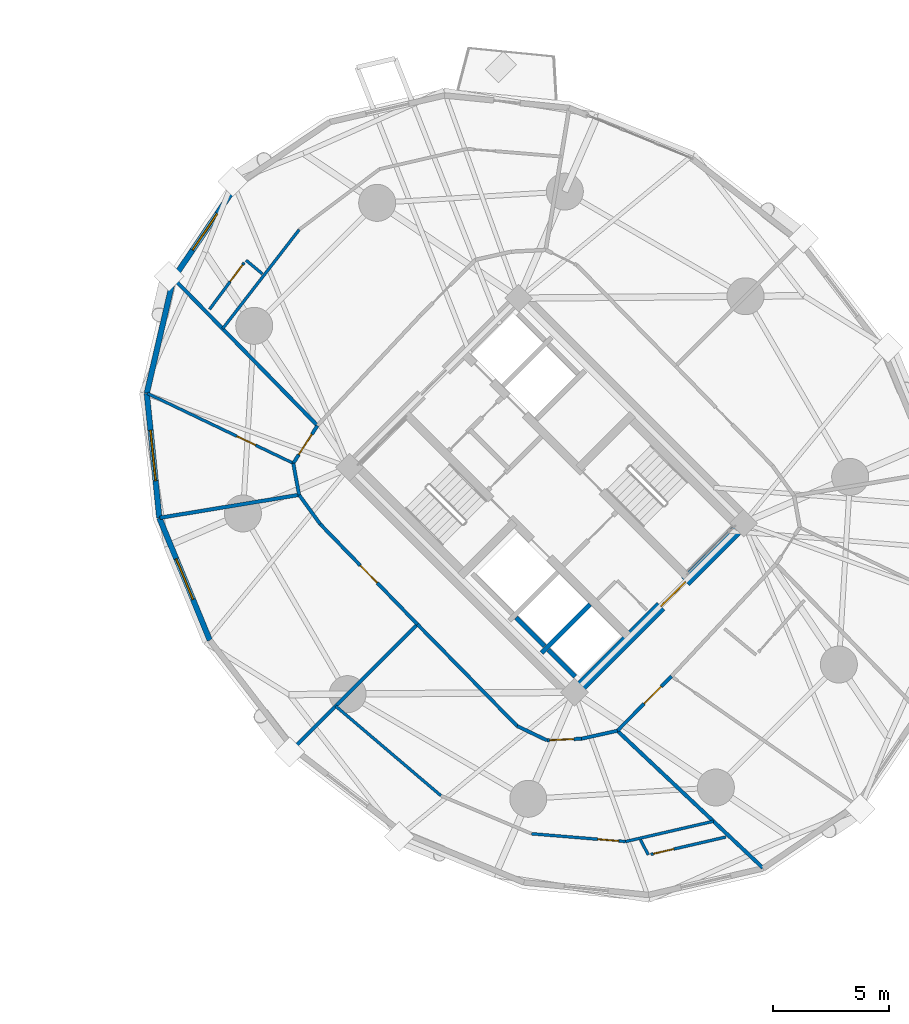
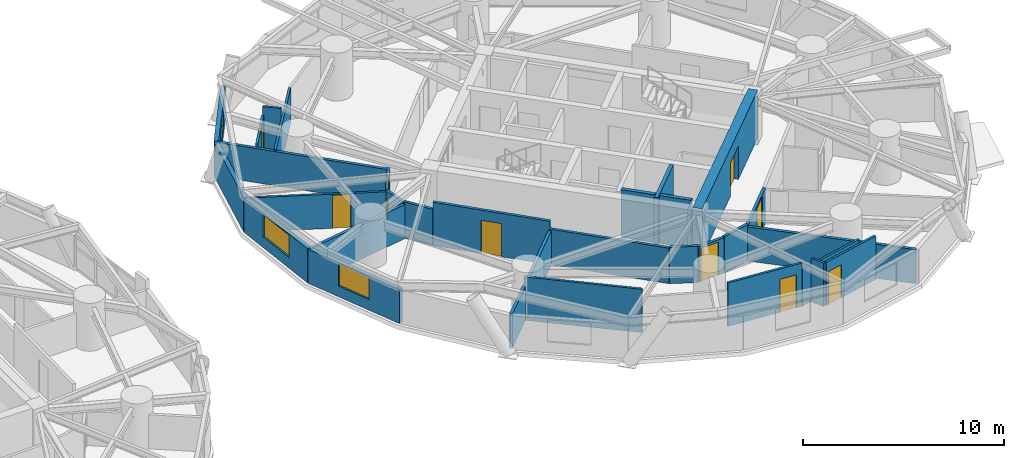
# One storey, part 13 of 20: 30 walls, 9 doors, 3 windows, 12 openings.
"""IFC4 building model written with IfcOpenShell, lengths in metres."""

from ifc_helpers import new_model, si_unit, direction, frame, frame_2d, origin, place, context, subcontext, project, spatial, rectangle, extrude, source, transform, mapped, material, layer, layer_set, type_object, element, fill, save


model = new_model("IFC4")

# Units and contexts
model_context = context("Model", 3, precision=1e-05, world=origin(), true_north=direction((0.0, 1.0)))
body_context = subcontext(model_context, "Body", "Model", "MODEL_VIEW")
ifc_project = project(units=[si_unit("LENGTHUNIT", "METRE"), si_unit("AREAUNIT", "SQUARE_METRE"), si_unit("VOLUMEUNIT", "CUBIC_METRE"), si_unit("PLANEANGLEUNIT", "RADIAN"), si_unit("MASSUNIT", "GRAM", prefix="KILO")], contexts=[model_context])

# Site, building, storey
site_placement = place(None, origin())
site = spatial("IfcSite", under=ifc_project, at=site_placement, CompositionType="ELEMENT")
building_placement = place(site_placement, origin())
building = spatial("IfcBuilding", under=site, at=building_placement, Name="Cununo Teusaquillo Station Towers", CompositionType="ELEMENT")
storey_placement = place(building_placement, frame((0.0, 0.0, 39.4599609375)))
storey = spatial("IfcBuildingStorey", under=building, at=storey_placement, Name="L11", CompositionType="ELEMENT", Elevation=39.4599609375)

# Walls
ifc_material_1 = material(Name="Concrete C50/60", Category="concrete")
ifc_layer_1 = layer(ifc_material_1, 0.199951171875)
ifc_layer_set_1 = layer_set([ifc_layer_1], Name="Concrete C50/60")
wall_type_1 = type_object("IfcWallType", Name="WL-CORE-200", PredefinedType="SHEAR", material=ifc_layer_set_1)
wall_1_placement = place(storey_placement, frame((57.2841796875, 17.6728515625, 0.0), z_axis=(0.0, 0.0, 1.0), x_axis=(0.707147878904, 0.70706568108, 0.0)))
element("IfcWall", 1, at=wall_1_placement, inside=storey, type_object=wall_type_1, Name="L11 Tower B High-Rise Lift Hoistway Divider Shear Wall", PredefinedType="SHEAR", context=body_context, shape_type="SweptSolid", body=[
    extrude(rectangle(XDim=2.97021484375, YDim=0.199951171875, at=frame_2d((1.485107421875, 0.0))), origin(), (0.0, 0.0, 1.0), 2.91015625),
])
wall_2_placement = place(storey_placement, frame((57.41162109375, 17.969970703125, 0.0), z_axis=(0.0, 0.0, 1.0), x_axis=(-0.707106781187, 0.707106781187, 0.0)))
element("IfcWall", 2, at=wall_2_placement, inside=storey, type_object=wall_type_1, Name="L11 Tower B High-Rise Lift 2 Shaft Rear Shear Wall", PredefinedType="SHEAR", context=body_context, shape_type="SweptSolid", body=[
    extrude(rectangle(XDim=1.73486328125, YDim=0.199951171875, at=frame_2d((0.867431640625, 0.0))), origin(), (0.0, 0.0, 1.0), 2.91015625),
])
wall_3_placement = place(storey_placement, frame((58.7373046875, 16.64404296875, 0.0), z_axis=(0.0, 0.0, 1.0), x_axis=(-0.707032117043, 0.707181437447, 0.0)))
element("IfcWall", 3, at=wall_3_placement, inside=storey, type_object=wall_type_1, Name="L11 Tower B High-Rise Lift 1 Shaft Rear Shear Wall", PredefinedType="SHEAR", context=body_context, shape_type="SweptSolid", body=[
    extrude(rectangle(XDim=1.635009765625, YDim=0.199951171875, at=frame_2d((0.8173828125, 0.0))), origin(), (0.0, 0.0, 1.0), 2.91015625),
])

# Wall, opening, door
ifc_material_2 = material(Name="Concrete C60/75", Category="concrete")
ifc_layer_2 = layer(ifc_material_2, 0.5)
ifc_layer_set_2 = layer_set([ifc_layer_2], Name="Concrete C60/75")
wall_type_2 = type_object("IfcWallType", Name="WL-CORE-500", PredefinedType="SHEAR", material=ifc_layer_set_2)
wall_4_placement = place(storey_placement, frame((58.595947265625, 15.837890625, 0.0), z_axis=(0.0, 0.0, 1.0), x_axis=(0.707106781187, 0.707106781187, 0.0)))
wall_4 = element("IfcWall", 4, at=wall_4_placement, inside=storey, type_object=wall_type_2, Name="L11 Tower B Core Shear Wall S", PredefinedType="SHEAR", context=body_context, shape_type="SweptSolid", body=[
    extrude(rectangle(XDim=10.7001953125, YDim=0.5, at=frame_2d((5.35009765625, 0.0))), origin(), (0.0, 0.0, 1.0), 2.91015625),
])
shared_shape_1 = source(origin(), body_context, "Body", "SweptSolid", [
    extrude(rectangle(XDim=1.5, YDim=2.02001953125, at=frame_2d((0.75, 1.010009765625))), frame((0.0, 0.260009765625, 0.0), z_axis=(0.0, -1.0, 0.0), x_axis=(1.0, 0.0, 0.0)), (0.0, 0.0, 1.0), 0.52001953125),
])
opening_1_placement = place(wall_4_placement, frame((5.449951171875, 0.0, 0.0)))
opening_1 = element("IfcOpeningElement", 5, at=opening_1_placement, cuts=wall_4, Name="Opening D-LB1", PredefinedType="OPENING", context=body_context, shape_type="MappedRepresentation", body=[
    mapped(shared_shape_1, transform((0.0, 0.0, 0.0), x_axis=(1.0, 0.0, 0.0), y_axis=(0.0, 1.0, 0.0), z_axis=(0.0, 0.0, 1.0), scale=1.0)),
])
ifc_material_3 = material(Name="Galvanised fire-rated hollow steel door assembly", Category="steel")
door_type_1 = type_object("IfcDoorType", Name="DR-LOBBY-1500", OperationType="DOUBLE_DOOR_SINGLE_SWING", PredefinedType="DOOR", material=ifc_material_3)
shared_shape_2 = source(origin(), body_context, "Body", "SweptSolid", [
    extrude(rectangle(XDim=1.5, YDim=2.02001953125, at=frame_2d((0.75, 1.010009765625))), frame((0.0, 0.02490234375, 0.0), z_axis=(0.0, -1.0, 0.0), x_axis=(1.0, 0.0, 0.0)), (0.0, 0.0, 1.0), 0.050048828125),
])
door_1_placement = place(opening_1_placement, origin())
door_1 = element("IfcDoor", 6, at=door_1_placement, inside=storey, type_object=door_type_1, Name="L11 Tower B South Core Lift Lobby Door", OperationType="DOUBLE_DOOR_SINGLE_SWING", OverallHeight=2.02001953125, OverallWidth=1.5, PredefinedType="DOOR", context=body_context, shape_type="MappedRepresentation", body=[
    mapped(shared_shape_2, transform((0.0, 0.0, 0.0), x_axis=(1.0, 0.0, 0.0), y_axis=(0.0, 1.0, 0.0), z_axis=(0.0, 0.0, 1.0), scale=1.0)),
])
fill(opening_1, door_1)

# Wall, opening, window
ifc_material_4 = material(Name="Precast concrete C40/50", Category="concrete")
ifc_layer_3 = layer(ifc_material_4, 0.239990234375)
ifc_layer_set_3 = layer_set([ifc_layer_3], Name="Precast concrete C40/50")
wall_type_3 = type_object("IfcWallType", Name="WL-EXT-240", PredefinedType="SOLIDWALL", material=ifc_layer_set_3)
wall_5_placement = place(storey_placement, frame((41.35595703125, 33.87060546875, 0.0), z_axis=(0.0, 0.0, 1.0), x_axis=(0.559621532896, 0.828748297084, 0.0)))
wall_5 = element("IfcWall", 7, at=wall_5_placement, inside=storey, type_object=wall_type_3, Name="L11 Tower B Exterior Facade Wall C05", PredefinedType="SOLIDWALL", context=body_context, shape_type="SweptSolid", body=[
    extrude(rectangle(XDim=4.878662109375, YDim=0.239990234375, at=frame_2d((2.439453125, 0.0))), origin(), (0.0, 0.0, 1.0), 2.072998046875),
])
shared_shape_3 = source(origin(), body_context, "Body", "SweptSolid", [
    extrude(rectangle(XDim=1.89990234375, YDim=1.35009765625, at=frame_2d((0.949951171875, 0.675048828125))), frame((0.0, 0.1298828125, 0.0), z_axis=(0.0, -1.0, 0.0), x_axis=(1.0, 0.0, 0.0)), (0.0, 0.0, 1.0), 0.260009765625),
])
opening_2_placement = place(wall_5_placement, frame((1.489013671875, 0.0, 0.64990234375)))
opening_2 = element("IfcOpeningElement", 8, at=opening_2_placement, cuts=wall_5, Name="Opening WN-02", PredefinedType="OPENING", context=body_context, shape_type="MappedRepresentation", body=[
    mapped(shared_shape_3, transform((0.0, 0.0, 0.0), x_axis=(1.0, 0.0, 0.0), y_axis=(0.0, 1.0, 0.0), z_axis=(0.0, 0.0, 1.0), scale=1.0)),
])
ifc_material_5 = material(Name="Operable acoustic tinted low-E double glazing", Category="glass")
window_type_1 = type_object("IfcWindowType", Name="WIN-OPER-1900", PartitioningType="DOUBLE_PANEL_VERTICAL", PredefinedType="WINDOW", material=ifc_material_5)
shared_shape_4 = source(origin(), body_context, "Body", "SweptSolid", [
    extrude(rectangle(XDim=1.89990234375, YDim=1.35009765625, at=frame_2d((0.949951171875, 0.675048828125))), frame((0.0, 0.030029296875, 0.0), z_axis=(0.0, -1.0, 0.0), x_axis=(1.0, 0.0, 0.0)), (0.0, 0.0, 1.0), 0.06005859375),
])
window_1_placement = place(opening_2_placement, origin())
window_1 = element("IfcWindow", 9, at=window_1_placement, inside=storey, type_object=window_type_1, Name="L11 Tower B Facade Window C05", OverallHeight=1.35009765625, OverallWidth=1.89990234375, PartitioningType="DOUBLE_PANEL_VERTICAL", PredefinedType="WINDOW", context=body_context, shape_type="MappedRepresentation", body=[
    mapped(shared_shape_4, transform((0.0, 0.0, 0.0), x_axis=(1.0, 0.0, 0.0), y_axis=(0.0, 1.0, 0.0), z_axis=(0.0, 0.0, 1.0), scale=1.0)),
])
fill(opening_2, window_1)

# Wall
wall_6_placement = place(storey_placement, frame((40.2060546875, 28.91015625, 0.0), z_axis=(0.0, 0.0, 1.0), x_axis=(0.22582585901, 0.974167686491, 0.0)))
element("IfcWall", 10, at=wall_6_placement, inside=storey, type_object=wall_type_3, Name="L11 Tower B Exterior Facade Wall C06", PredefinedType="SOLIDWALL", context=body_context, shape_type="SweptSolid", body=[
    extrude(rectangle(XDim=5.092041015625, YDim=0.239990234375, at=frame_2d((2.5458984375, 0.0))), origin(), (0.0, 0.0, 1.0), 2.072998046875),
])

# Wall, opening, window
wall_7_placement = place(storey_placement, frame((40.7490234375, 23.51806640625, 0.0), z_axis=(0.0, 0.0, 1.0), x_axis=(-0.100190592135, 0.994968263437, 0.0)))
wall_7 = element("IfcWall", 11, at=wall_7_placement, inside=storey, type_object=wall_type_3, Name="L11 Tower B Exterior Facade Wall C07", PredefinedType="SOLIDWALL", context=body_context, shape_type="SweptSolid", body=[
    extrude(rectangle(XDim=5.41943359375, YDim=0.239990234375, at=frame_2d((2.709716796875, 0.0))), origin(), (0.0, 0.0, 1.0), 2.072998046875),
])
shared_shape_5 = source(origin(), body_context, "Body", "SweptSolid", [
    extrude(rectangle(XDim=2.199951171875, YDim=1.35009765625, at=frame_2d((1.10009765625, 0.675048828125))), frame((0.0, 0.1298828125, 0.0), z_axis=(0.0, -1.0, 0.0), x_axis=(1.0, 0.0, 0.0)), (0.0, 0.0, 1.0), 0.260009765625),
])
opening_3_placement = place(wall_7_placement, frame((1.610107421875, 0.0, 0.64990234375)))
opening_3 = element("IfcOpeningElement", 12, at=opening_3_placement, cuts=wall_7, Name="Opening WN-01", PredefinedType="OPENING", context=body_context, shape_type="MappedRepresentation", body=[
    mapped(shared_shape_5, transform((0.0, 0.0, 0.0), x_axis=(1.0, 0.0, 0.0), y_axis=(0.0, 1.0, 0.0), z_axis=(0.0, 0.0, 1.0), scale=1.0)),
])
ifc_material_6 = material(Name="Ceramic-fritted dark low-E double glazing", Category="glass")
window_type_2 = type_object("IfcWindowType", Name="WIN-FRIT-2200", PartitioningType="DOUBLE_PANEL_VERTICAL", PredefinedType="WINDOW", material=ifc_material_6)
shared_shape_6 = source(origin(), body_context, "Body", "SweptSolid", [
    extrude(rectangle(XDim=2.199951171875, YDim=1.35009765625, at=frame_2d((1.10009765625, 0.675048828125))), frame((0.0, 0.030029296875, 0.0), z_axis=(0.0, -1.0, 0.0), x_axis=(1.0, 0.0, 0.0)), (0.0, 0.0, 1.0), 0.06005859375),
])
window_2_placement = place(opening_3_placement, origin())
window_2 = element("IfcWindow", 13, at=window_2_placement, inside=storey, type_object=window_type_2, Name="L11 Tower B Facade Window C07", OverallHeight=1.35009765625, OverallWidth=2.199951171875, PartitioningType="DOUBLE_PANEL_VERTICAL", PredefinedType="WINDOW", context=body_context, shape_type="MappedRepresentation", body=[
    mapped(shared_shape_6, transform((0.0, 0.0, 0.0), x_axis=(1.0, 0.0, 0.0), y_axis=(0.0, 1.0, 0.0), z_axis=(0.0, 0.0, 1.0), scale=1.0)),
])
fill(opening_3, window_2)

wall_8_placement = place(storey_placement, frame((42.931884765625, 18.22216796875, 0.0), z_axis=(0.0, 0.0, 1.0), x_axis=(-0.381077764176, 0.924542988536, 0.0)))
wall_8 = element("IfcWall", 14, at=wall_8_placement, inside=storey, type_object=wall_type_3, Name="L11 Tower B Exterior Facade Wall C08", PredefinedType="SOLIDWALL", context=body_context, shape_type="SweptSolid", body=[
    extrude(rectangle(XDim=5.72802734375, YDim=0.239990234375, at=frame_2d((2.864013671875, 0.0))), origin(), (0.0, 0.0, 1.0), 2.072998046875),
])
opening_4_placement = place(wall_8_placement, frame((1.9140625, 0.0, 0.64990234375)))
opening_4 = element("IfcOpeningElement", 15, at=opening_4_placement, cuts=wall_8, Name="Opening WN-02", PredefinedType="OPENING", context=body_context, shape_type="MappedRepresentation", body=[
    mapped(shared_shape_3, transform((0.0, 0.0, 0.0), x_axis=(1.0, 0.0, 0.0), y_axis=(0.0, 1.0, 0.0), z_axis=(0.0, 0.0, 1.0), scale=1.0)),
])
window_3_placement = place(opening_4_placement, origin())
window_3 = element("IfcWindow", 16, at=window_3_placement, inside=storey, type_object=window_type_1, Name="L11 Tower B Facade Window C08", OverallHeight=1.35009765625, OverallWidth=1.89990234375, PartitioningType="DOUBLE_PANEL_VERTICAL", PredefinedType="WINDOW", context=body_context, shape_type="MappedRepresentation", body=[
    mapped(shared_shape_4, transform((0.0, 0.0, 0.0), x_axis=(1.0, 0.0, 0.0), y_axis=(0.0, 1.0, 0.0), z_axis=(0.0, 0.0, 1.0), scale=1.0)),
])
fill(opening_4, window_3)

# Walls
ifc_material_7 = material(Name="Fire-rated gypsum plasterboard partition assembly", Category="gypsum")
ifc_layer_4 = layer(ifc_material_7, 0.125)
ifc_layer_set_4 = layer_set([ifc_layer_4], Name="Fire-rated gypsum plasterboard partition assembly")
wall_type_4 = type_object("IfcWallType", Name="WL-PART-125", PredefinedType="PARTITIONING", material=ifc_layer_set_4)
wall_9_placement = place(storey_placement, frame((46.801025390625, 35.989013671875, 0.0), z_axis=(0.0, 0.0, 1.0), x_axis=(-0.611635984749, -0.791139319058, 0.0)))
element("IfcWall", 17, at=wall_9_placement, inside=storey, type_object=wall_type_4, Name="L11 Tower B Royal Corner Hotel Suite Concentric Partition Wall C05", PredefinedType="PARTITIONING", context=body_context, shape_type="SweptSolid", body=[
    extrude(rectangle(XDim=5.418701171875, YDim=0.125, at=frame_2d((2.70947265625, 0.0))), origin(), (0.0, 0.0, 1.0), 2.158935546875),
])
wall_10_placement = place(storey_placement, frame((45.20361328125, 34.077880859375, 0.0), z_axis=(0.0, 0.0, 1.0), x_axis=(-0.768330339969, 0.640053504547, 0.0)))
element("IfcWall", 18, at=wall_10_placement, inside=storey, type_object=wall_type_4, Name="L11 Tower B S01 En-suite Side Wall", PredefinedType="PARTITIONING", context=body_context, shape_type="SweptSolid", body=[
    extrude(rectangle(XDim=0.917236328125, YDim=0.125, at=frame_2d((0.45849609375, 0.0))), origin(), (0.0, 0.0, 1.0), 2.635009765625),
])

# Wall, opening, door
wall_11_placement = place(storey_placement, frame((44.420654296875, 34.559814453125, 0.0), z_axis=(0.0, 0.0, 1.0), x_axis=(-0.596454407051, -0.802646958699, 0.0)))
wall_11 = element("IfcWall", 19, at=wall_11_placement, inside=storey, type_object=wall_type_4, Name="L11 Tower B S01 En-suite Back Wall", PredefinedType="PARTITIONING", context=body_context, shape_type="SweptSolid", body=[
    extrude(rectangle(XDim=2.51611328125, YDim=0.125, at=frame_2d((1.258056640625, 0.0))), origin(), (0.0, 0.0, 1.0), 2.158935546875),
])
shared_shape_7 = source(origin(), body_context, "Body", "SweptSolid", [
    extrude(rectangle(XDim=0.89990234375, YDim=2.0048828125, at=frame_2d((0.449951171875, 1.00244140625))), frame((0.0, 0.072509765625, 0.0), z_axis=(0.0, -1.0, 0.0), x_axis=(1.0, 0.0, 0.0)), (0.0, 0.0, 1.0), 0.14501953125),
])
opening_5_placement = place(wall_11_placement, frame((0.1201171875, 0.0, 0.0)))
opening_5 = element("IfcOpeningElement", 20, at=opening_5_placement, cuts=wall_11, Name="Opening D-IN1", PredefinedType="OPENING", context=body_context, shape_type="MappedRepresentation", body=[
    mapped(shared_shape_7, transform((0.0, 0.0, 0.0), x_axis=(1.0, 0.0, 0.0), y_axis=(0.0, 1.0, 0.0), z_axis=(0.0, 0.0, 1.0), scale=1.0)),
])
ifc_material_8 = material(Name="Acoustic solid-core hardwood leaf assembly", Category="wood")
door_type_2 = type_object("IfcDoorType", Name="DR-INT-900", OperationType="NOTDEFINED", PredefinedType="DOOR", material=ifc_material_8)
shared_shape_8 = source(origin(), body_context, "Body", "SweptSolid", [
    extrude(rectangle(XDim=0.89990234375, YDim=2.0048828125, at=frame_2d((0.449951171875, 1.00244140625))), frame((0.0, 0.02490234375, 0.0), z_axis=(0.0, -1.0, 0.0), x_axis=(1.0, 0.0, 0.0)), (0.0, 0.0, 1.0), 0.050048828125),
])
door_2_placement = place(opening_5_placement, origin())
door_2 = element("IfcDoor", 21, at=door_2_placement, inside=storey, type_object=door_type_2, Name="L11 Tower B S01 En-suite Bathroom Door", OperationType="SINGLE_SWING_LEFT", OverallHeight=2.0048828125, OverallWidth=0.89990234375, PredefinedType="DOOR", context=body_context, shape_type="MappedRepresentation", body=[
    mapped(shared_shape_8, transform((0.0, 0.0, 0.0), x_axis=(1.0, 0.0, 0.0), y_axis=(0.0, 1.0, 0.0), z_axis=(0.0, 0.0, 1.0), scale=1.0)),
])
fill(opening_5, door_2)

wall_12_placement = place(storey_placement, frame((46.543212890625, 25.882080078125, 0.0), z_axis=(0.0, 0.0, 1.0), x_axis=(-0.901937110034, 0.431867398103, 0.0)))
wall_12 = element("IfcWall", 22, at=wall_12_placement, inside=storey, type_object=wall_type_4, Name="L11 Tower B Hotel Boardroom Salon Suite Subdividing Wall", PredefinedType="PARTITIONING", context=body_context, shape_type="SweptSolid", body=[
    extrude(rectangle(XDim=7.004150390625, YDim=0.125, at=frame_2d((3.501953125, 0.0))), origin(), (0.0, 0.0, 1.0), 2.072998046875),
])
opening_6_placement = place(wall_12_placement, frame((1.800048828125, 0.0, 0.0)))
opening_6 = element("IfcOpeningElement", 23, at=opening_6_placement, cuts=wall_12, Name="Opening D-IN1", PredefinedType="OPENING", context=body_context, shape_type="MappedRepresentation", body=[
    mapped(shared_shape_7, transform((0.0, 0.0, 0.0), x_axis=(1.0, 0.0, 0.0), y_axis=(0.0, 1.0, 0.0), z_axis=(0.0, 0.0, 1.0), scale=1.0)),
])
door_3_placement = place(opening_6_placement, origin())
door_3 = element("IfcDoor", 24, at=door_3_placement, inside=storey, type_object=door_type_2, Name="L11 Tower B Hotel Boardroom Salon Suite Connecting Door", OperationType="SINGLE_SWING_LEFT", OverallHeight=2.0048828125, OverallWidth=0.89990234375, PredefinedType="DOOR", context=body_context, shape_type="MappedRepresentation", body=[
    mapped(shared_shape_8, transform((0.0, 0.0, 0.0), x_axis=(1.0, 0.0, 0.0), y_axis=(0.0, 1.0, 0.0), z_axis=(0.0, 0.0, 1.0), scale=1.0)),
])
fill(opening_6, door_3)

# Wall
wall_13_placement = place(storey_placement, frame((48.376708984375, 15.376708984375, 0.0), z_axis=(0.0, 0.0, 1.0), x_axis=(0.761505943152, -0.648157927163, 0.0)))
element("IfcWall", 25, at=wall_13_placement, inside=storey, type_object=wall_type_4, Name="L11 Tower B Imperial Corner Hotel Suite Concentric Partition Wall C10", PredefinedType="PARTITIONING", context=body_context, shape_type="SweptSolid", body=[
    extrude(rectangle(XDim=5.979248046875, YDim=0.125, at=frame_2d((2.98974609375, 0.0))), origin(), (0.0, 0.0, 1.0), 2.635009765625),
])

# Wall, opening, door
wall_14_placement = place(storey_placement, frame((56.85791015625, 9.852294921875, 0.0), z_axis=(0.0, 0.0, 1.0), x_axis=(0.996604967548, -0.082331881181, 0.0)))
wall_14 = element("IfcWall", 26, at=wall_14_placement, inside=storey, type_object=wall_type_4, Name="L11 Tower B Imperial Corner Hotel Suite Concentric Partition Wall C12", PredefinedType="PARTITIONING", context=body_context, shape_type="SweptSolid", body=[
    extrude(rectangle(XDim=4.077392578125, YDim=0.125, at=frame_2d((2.03857421875, 0.0))), origin(), (0.0, 0.0, 1.0), 2.635009765625),
])
opening_7_placement = place(wall_14_placement, frame((2.873779296875, 0.0, 0.0)))
opening_7 = element("IfcOpeningElement", 27, at=opening_7_placement, cuts=wall_14, Name="Opening D-IN1", PredefinedType="OPENING", context=body_context, shape_type="MappedRepresentation", body=[
    mapped(shared_shape_7, transform((0.0, 0.0, 0.0), x_axis=(1.0, 0.0, 0.0), y_axis=(0.0, 1.0, 0.0), z_axis=(0.0, 0.0, 1.0), scale=1.0)),
])
door_4_placement = place(opening_7_placement, origin())
door_4 = element("IfcDoor", 28, at=door_4_placement, inside=storey, type_object=door_type_2, Name="L11 Tower B Imperial Corner Hotel Suite Connecting Door", OperationType="SINGLE_SWING_RIGHT", OverallHeight=2.0048828125, OverallWidth=0.89990234375, PredefinedType="DOOR", context=body_context, shape_type="MappedRepresentation", body=[
    mapped(shared_shape_8, transform((0.0, 0.0, 0.0), x_axis=(1.0, 0.0, 0.0), y_axis=(0.0, 1.0, 0.0), z_axis=(0.0, 0.0, 1.0), scale=1.0)),
])
fill(opening_7, door_4)

# Walls
wall_15_placement = place(storey_placement, frame((60.92138671875, 9.5166015625, 0.0), z_axis=(0.0, 0.0, 1.0), x_axis=(0.974453436038, 0.224589627973, 0.0)))
element("IfcWall", 29, at=wall_15_placement, inside=storey, type_object=wall_type_4, Name="L11 Tower B Imperial Corner Hotel Suite Concentric Partition Wall C13", PredefinedType="PARTITIONING", context=body_context, shape_type="SweptSolid", body=[
    extrude(rectangle(XDim=3.898193359375, YDim=0.125, at=frame_2d((1.94921875, 0.0))), origin(), (0.0, 0.0, 1.0), 2.205078125),
])
wall_16_placement = place(storey_placement, frame((61.564208984375, 9.589111328125, 0.0), z_axis=(0.0, 0.0, 1.0), x_axis=(0.462168536246, -0.886792108729, 0.0)))
element("IfcWall", 30, at=wall_16_placement, inside=storey, type_object=wall_type_4, Name="L11 Tower B S04 En-suite Side Wall", PredefinedType="PARTITIONING", context=body_context, shape_type="SweptSolid", body=[
    extrude(rectangle(XDim=0.73486328125, YDim=0.125, at=frame_2d((0.367431640625, 0.0))), origin(), (0.0, 0.0, 1.0), 2.635009765625),
])

# Wall, opening, door
wall_17_placement = place(storey_placement, frame((62.0078125, 8.961669921875, 0.0), z_axis=(0.0, 0.0, 1.0), x_axis=(0.974365294983, 0.224971713626, 0.0)))
wall_17 = element("IfcWall", 31, at=wall_17_placement, inside=storey, type_object=wall_type_4, Name="L11 Tower B S04 En-suite Back Wall", PredefinedType="PARTITIONING", context=body_context, shape_type="SweptSolid", body=[
    extrude(rectangle(XDim=3.3369140625, YDim=0.125, at=frame_2d((1.66845703125, 0.0))), origin(), (0.0, 0.0, 1.0), 2.635009765625),
])
opening_8_placement = place(wall_17_placement, frame((0.1201171875, 0.0, 0.0)))
opening_8 = element("IfcOpeningElement", 32, at=opening_8_placement, cuts=wall_17, Name="Opening D-IN1", PredefinedType="OPENING", context=body_context, shape_type="MappedRepresentation", body=[
    mapped(shared_shape_7, transform((0.0, 0.0, 0.0), x_axis=(1.0, 0.0, 0.0), y_axis=(0.0, 1.0, 0.0), z_axis=(0.0, 0.0, 1.0), scale=1.0)),
])
door_5_placement = place(opening_8_placement, origin())
door_5 = element("IfcDoor", 33, at=door_5_placement, inside=storey, type_object=door_type_2, Name="L11 Tower B S04 En-suite Bathroom Door", OperationType="SINGLE_SWING_LEFT", OverallHeight=2.0048828125, OverallWidth=0.89990234375, PredefinedType="DOOR", context=body_context, shape_type="MappedRepresentation", body=[
    mapped(shared_shape_8, transform((0.0, 0.0, 0.0), x_axis=(1.0, 0.0, 0.0), y_axis=(0.0, 1.0, 0.0), z_axis=(0.0, 0.0, 1.0), scale=1.0)),
])
fill(opening_8, door_5)

ifc_material_9 = material(Name="Fire-rated gypsum plasterboard partition assembly", Category="gypsum")
ifc_layer_5 = layer(ifc_material_9, 0.14990234375)
ifc_layer_set_5 = layer_set([ifc_layer_5], Name="Fire-rated gypsum plasterboard partition assembly")
wall_type_5 = type_object("IfcWallType", Name="WL-PART-150", PredefinedType="PARTITIONING", material=ifc_layer_set_5)
wall_18_placement = place(storey_placement, frame((47.58837890625, 27.51025390625, 0.0), z_axis=(0.0, 0.0, 1.0), x_axis=(-0.540202619347, -0.841534984449, 0.0)))
wall_18 = element("IfcWall", 34, at=wall_18_placement, inside=storey, type_object=wall_type_5, Name="L11 Tower B Corridor Ring Wall C06", PredefinedType="PARTITIONING", context=body_context, shape_type="SweptSolid", body=[
    extrude(rectangle(XDim=1.934814453125, YDim=0.14990234375, at=frame_2d((0.96728515625, 0.0))), origin(), (0.0, 0.0, 1.0), 2.158935546875),
])
shared_shape_9 = source(origin(), body_context, "Body", "SweptSolid", [
    extrude(rectangle(XDim=1.050048828125, YDim=2.014892578125, at=frame_2d((0.52490234375, 1.00732421875))), frame((0.0, 0.0849609375, 0.0), z_axis=(0.0, -1.0, 0.0), x_axis=(1.0, 0.0, 0.0)), (0.0, 0.0, 1.0), 0.169921875),
])
opening_9_placement = place(wall_18_placement, frame((0.4423828125, 0.0, 0.0)))
opening_9 = element("IfcOpeningElement", 35, at=opening_9_placement, cuts=wall_18, Name="Opening D-SU1", PredefinedType="OPENING", context=body_context, shape_type="MappedRepresentation", body=[
    mapped(shared_shape_9, transform((0.0, 0.0, 0.0), x_axis=(1.0, 0.0, 0.0), y_axis=(0.0, 1.0, 0.0), z_axis=(0.0, 0.0, 1.0), scale=1.0)),
])
ifc_material_10 = material(Name="Acoustic solid-core hardwood leaf assembly", Category="wood")
door_type_3 = type_object("IfcDoorType", Name="DR-SUITE-1050", OperationType="NOTDEFINED", PredefinedType="DOOR", material=ifc_material_10)
shared_shape_10 = source(origin(), body_context, "Body", "SweptSolid", [
    extrude(rectangle(XDim=1.050048828125, YDim=2.014892578125, at=frame_2d((0.52490234375, 1.00732421875))), frame((0.0, 0.02490234375, 0.0), z_axis=(0.0, -1.0, 0.0), x_axis=(1.0, 0.0, 0.0)), (0.0, 0.0, 1.0), 0.050048828125),
])
door_6_placement = place(opening_9_placement, origin())
door_6 = element("IfcDoor", 36, at=door_6_placement, inside=storey, type_object=door_type_3, Name="L11 Tower B Hotel Boardroom Salon Entrance Door", OperationType="SINGLE_SWING_RIGHT", OverallHeight=2.014892578125, OverallWidth=1.050048828125, PredefinedType="DOOR", context=body_context, shape_type="MappedRepresentation", body=[
    mapped(shared_shape_10, transform((0.0, 0.0, 0.0), x_axis=(1.0, 0.0, 0.0), y_axis=(0.0, 1.0, 0.0), z_axis=(0.0, 0.0, 1.0), scale=1.0)),
])
fill(opening_9, door_6)

# Walls
wall_19_placement = place(storey_placement, frame((46.543212890625, 25.882080078125, 0.0), z_axis=(0.0, 0.0, 1.0), x_axis=(0.181153502579, -0.983454832976, 0.0)))
element("IfcWall", 37, at=wall_19_placement, inside=storey, type_object=wall_type_5, Name="L11 Tower B Corridor Ring Wall C07", PredefinedType="PARTITIONING", context=body_context, shape_type="SweptSolid", body=[
    extrude(rectangle(XDim=1.39208984375, YDim=0.14990234375, at=frame_2d((0.696044921875, 0.0))), origin(), (0.0, 0.0, 1.0), 2.158935546875),
])
wall_20_placement = place(storey_placement, frame((46.79541015625, 24.512939453125, 0.0), z_axis=(0.0, 0.0, 1.0), x_axis=(0.585628197524, -0.810579801294, 0.0)))
element("IfcWall", 38, at=wall_20_placement, inside=storey, type_object=wall_type_5, Name="L11 Tower B Corridor Ring Wall C08", PredefinedType="PARTITIONING", context=body_context, shape_type="SweptSolid", body=[
    extrude(rectangle(XDim=1.55419921875, YDim=0.14990234375, at=frame_2d((0.777099609375, 0.0))), origin(), (0.0, 0.0, 1.0), 2.205078125),
])

# Wall, opening, door
wall_21_placement = place(storey_placement, frame((47.70556640625, 23.253173828125, 0.0), z_axis=(0.0, 0.0, 1.0), x_axis=(0.696179266346, -0.717867974707, 0.0)))
wall_21 = element("IfcWall", 39, at=wall_21_placement, inside=storey, type_object=wall_type_5, Name="L11 Tower B Corridor Ring Wall C09", PredefinedType="PARTITIONING", context=body_context, shape_type="SweptSolid", body=[
    extrude(rectangle(XDim=6.044677734375, YDim=0.14990234375, at=frame_2d((3.0224609375, 0.0))), origin(), (0.0, 0.0, 1.0), 2.635009765625),
])
opening_10_placement = place(wall_21_placement, frame((2.497314453125, 0.0, 0.0)))
opening_10 = element("IfcOpeningElement", 40, at=opening_10_placement, cuts=wall_21, Name="Opening D-SU1", PredefinedType="OPENING", context=body_context, shape_type="MappedRepresentation", body=[
    mapped(shared_shape_9, transform((0.0, 0.0, 0.0), x_axis=(1.0, 0.0, 0.0), y_axis=(0.0, 1.0, 0.0), z_axis=(0.0, 0.0, 1.0), scale=1.0)),
])
door_7_placement = place(opening_10_placement, origin())
door_7 = element("IfcDoor", 41, at=door_7_placement, inside=storey, type_object=door_type_3, Name="L11 Tower B Hotel Hydrotherapy Wellness Spa Entrance Door", OperationType="SINGLE_SWING_RIGHT", OverallHeight=2.014892578125, OverallWidth=1.050048828125, PredefinedType="DOOR", context=body_context, shape_type="MappedRepresentation", body=[
    mapped(shared_shape_10, transform((0.0, 0.0, 0.0), x_axis=(1.0, 0.0, 0.0), y_axis=(0.0, 1.0, 0.0), z_axis=(0.0, 0.0, 1.0), scale=1.0)),
])
fill(opening_10, door_7)

# Walls
wall_22_placement = place(storey_placement, frame((51.913818359375, 18.913818359375, 0.0), z_axis=(0.0, 0.0, 1.0), x_axis=(0.699999313799, -0.714143515465, 0.0)))
element("IfcWall", 42, at=wall_22_placement, inside=storey, type_object=wall_type_5, Name="L11 Tower B Corridor Ring Wall C10", PredefinedType="PARTITIONING", context=body_context, shape_type="SweptSolid", body=[
    extrude(rectangle(XDim=6.162109375, YDim=0.14990234375, at=frame_2d((3.0810546875, 0.0))), origin(), (0.0, 0.0, 1.0), 2.158935546875),
])
wall_23_placement = place(storey_placement, frame((56.227294921875, 14.51318359375, 0.0), z_axis=(0.0, 0.0, 1.0), x_axis=(0.901477579283, -0.432825801044, 0.0)))
element("IfcWall", 43, at=wall_23_placement, inside=storey, type_object=wall_type_5, Name="L11 Tower B Corridor Ring Wall C11", PredefinedType="PARTITIONING", context=body_context, shape_type="SweptSolid", body=[
    extrude(rectangle(XDim=1.42431640625, YDim=0.14990234375, at=frame_2d((0.712158203125, 0.0))), origin(), (0.0, 0.0, 1.0), 2.205078125),
])

# Wall, opening, door
wall_24_placement = place(storey_placement, frame((57.51123046875, 13.896728515625, 0.0), z_axis=(0.0, 0.0, 1.0), x_axis=(0.999024538494, 0.044158481476, 0.0)))
wall_24 = element("IfcWall", 44, at=wall_24_placement, inside=storey, type_object=wall_type_5, Name="L11 Tower B Corridor Ring Wall C12", PredefinedType="PARTITIONING", context=body_context, shape_type="SweptSolid", body=[
    extrude(rectangle(XDim=1.498291015625, YDim=0.14990234375, at=frame_2d((0.7490234375, 0.0))), origin(), (0.0, 0.0, 1.0), 2.158935546875),
])
opening_11_placement = place(wall_24_placement, frame((0.1201171875, 0.0, 0.0)))
opening_11 = element("IfcOpeningElement", 45, at=opening_11_placement, cuts=wall_24, Name="Opening D-SU1", PredefinedType="OPENING", context=body_context, shape_type="MappedRepresentation", body=[
    mapped(shared_shape_9, transform((0.0, 0.0, 0.0), x_axis=(1.0, 0.0, 0.0), y_axis=(0.0, 1.0, 0.0), z_axis=(0.0, 0.0, 1.0), scale=1.0)),
])
door_8_placement = place(opening_11_placement, origin())
door_8 = element("IfcDoor", 46, at=door_8_placement, inside=storey, type_object=door_type_3, Name="L11 Tower B Imperial Corner Hotel Suite Entrance Door", OperationType="SINGLE_SWING_LEFT", OverallHeight=2.014892578125, OverallWidth=1.050048828125, PredefinedType="DOOR", context=body_context, shape_type="MappedRepresentation", body=[
    mapped(shared_shape_10, transform((0.0, 0.0, 0.0), x_axis=(1.0, 0.0, 0.0), y_axis=(0.0, 1.0, 0.0), z_axis=(0.0, 0.0, 1.0), scale=1.0)),
])
fill(opening_11, door_8)

# Wall
wall_25_placement = place(storey_placement, frame((59.008056640625, 13.962890625, 0.0), z_axis=(0.0, 0.0, 1.0), x_axis=(0.976020856791, 0.21767702476, 0.0)))
element("IfcWall", 47, at=wall_25_placement, inside=storey, type_object=wall_type_5, Name="L11 Tower B Corridor Ring Wall C13", PredefinedType="PARTITIONING", context=body_context, shape_type="SweptSolid", body=[
    extrude(rectangle(XDim=1.592529296875, YDim=0.14990234375, at=frame_2d((0.79638671875, 0.0))), origin(), (0.0, 0.0, 1.0), 2.205078125),
])

# Wall, opening, door
wall_26_placement = place(storey_placement, frame((60.5625, 14.3095703125, 0.0), z_axis=(0.0, 0.0, 1.0), x_axis=(0.704566236161, 0.709638230975, 0.0)))
wall_26 = element("IfcWall", 48, at=wall_26_placement, inside=storey, type_object=wall_type_5, Name="L11 Tower B Corridor Ring Wall C14", PredefinedType="PARTITIONING", context=body_context, shape_type="SweptSolid", body=[
    extrude(rectangle(XDim=3.3212890625, YDim=0.14990234375, at=frame_2d((1.66064453125, 0.0))), origin(), (0.0, 0.0, 1.0), 2.158935546875),
])
opening_12_placement = place(wall_26_placement, frame((1.643310546875, 0.0, 0.0)))
opening_12 = element("IfcOpeningElement", 49, at=opening_12_placement, cuts=wall_26, Name="Opening D-SU1", PredefinedType="OPENING", context=body_context, shape_type="MappedRepresentation", body=[
    mapped(shared_shape_9, transform((0.0, 0.0, 0.0), x_axis=(1.0, 0.0, 0.0), y_axis=(0.0, 1.0, 0.0), z_axis=(0.0, 0.0, 1.0), scale=1.0)),
])
door_9_placement = place(opening_12_placement, origin())
door_9 = element("IfcDoor", 50, at=door_9_placement, inside=storey, type_object=door_type_3, Name="L11 Tower B Governor Hospitality Suite Entrance Door", OperationType="SINGLE_SWING_RIGHT", OverallHeight=2.014892578125, OverallWidth=1.050048828125, PredefinedType="DOOR", context=body_context, shape_type="MappedRepresentation", body=[
    mapped(shared_shape_10, transform((0.0, 0.0, 0.0), x_axis=(1.0, 0.0, 0.0), y_axis=(0.0, 1.0, 0.0), z_axis=(0.0, 0.0, 1.0), scale=1.0)),
])
fill(opening_12, door_9)

# Walls
ifc_material_11 = material(Name="Fire-rated gypsum plasterboard partition assembly", Category="gypsum")
ifc_layer_6 = layer(ifc_material_11, 0.159912109375)
ifc_layer_set_6 = layer_set([ifc_layer_6], Name="Fire-rated gypsum plasterboard partition assembly")
wall_type_6 = type_object("IfcWallType", Name="WL-PART-160", PredefinedType="PARTITIONING", material=ifc_layer_set_6)
wall_27_placement = place(storey_placement, frame((47.58837890625, 27.51025390625, 0.0), z_axis=(0.0, 0.0, 1.0), x_axis=(-0.699371977892, 0.714757886657, 0.0)))
element("IfcWall", 51, at=wall_27_placement, inside=storey, type_object=wall_type_6, Name="L11 Tower B Radial Suite Partition R03", PredefinedType="PARTITIONING", context=body_context, shape_type="SweptSolid", body=[
    extrude(rectangle(XDim=8.885986328125, YDim=0.159912109375, at=frame_2d((4.44287109375, 0.0))), origin(), (0.0, 0.0, 1.0), 2.072998046875),
])
wall_28_placement = place(storey_placement, frame((46.79541015625, 24.512939453125, 0.0), z_axis=(0.0, 0.0, 1.0), x_axis=(-0.986729986004, -0.162369746937, 0.0)))
element("IfcWall", 52, at=wall_28_placement, inside=storey, type_object=wall_type_6, Name="L11 Tower B Radial Suite Partition R04", PredefinedType="PARTITIONING", context=body_context, shape_type="SweptSolid", body=[
    extrude(rectangle(XDim=6.107666015625, YDim=0.159912109375, at=frame_2d((3.0537109375, 0.0))), origin(), (0.0, 0.0, 1.0), 2.072998046875),
])
wall_29_placement = place(storey_placement, frame((51.913818359375, 18.913818359375, 0.0), z_axis=(0.0, 0.0, 1.0), x_axis=(-0.707106781187, -0.707106781187, 0.0)))
element("IfcWall", 53, at=wall_29_placement, inside=storey, type_object=wall_type_6, Name="L11 Tower B Radial Suite Partition R05", PredefinedType="PARTITIONING", context=body_context, shape_type="SweptSolid", body=[
    extrude(rectangle(XDim=7.578857421875, YDim=0.159912109375, at=frame_2d((3.78955078125, 0.0))), origin(), (0.0, 0.0, 1.0), 2.072998046875),
])
wall_30_placement = place(storey_placement, frame((60.5625, 14.3095703125, 0.0), z_axis=(0.0, 0.0, 1.0), x_axis=(0.727781661561, -0.685808904211, 0.0)))
element("IfcWall", 54, at=wall_30_placement, inside=storey, type_object=wall_type_6, Name="L11 Tower B Radial Suite Partition R06", PredefinedType="PARTITIONING", context=body_context, shape_type="SweptSolid", body=[
    extrude(rectangle(XDim=8.6552734375, YDim=0.159912109375, at=frame_2d((4.32763671875, 0.0))), origin(), (0.0, 0.0, 1.0), 2.072998046875),
])

save(model, "model.ifc")
